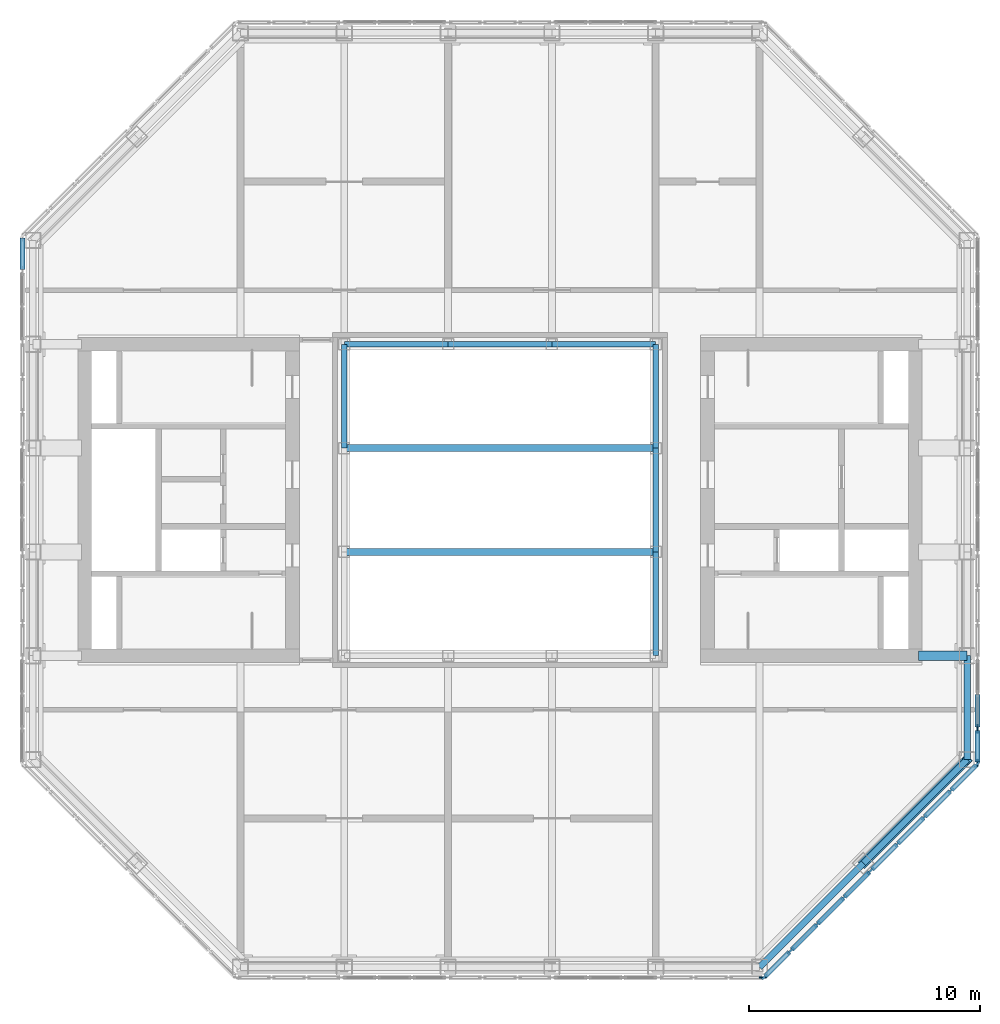
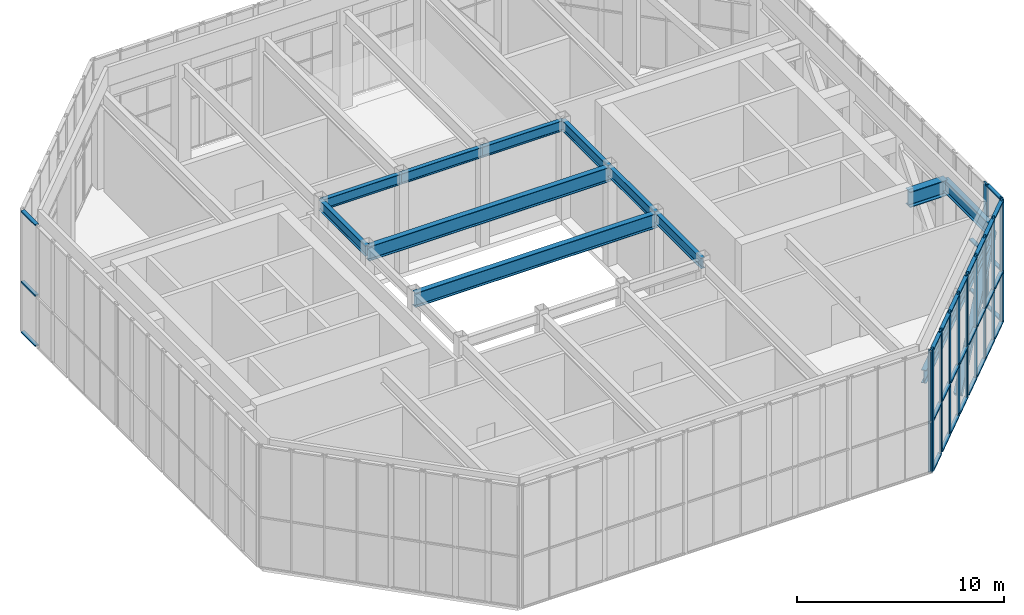
# One storey, part 5 of 15: 48 members, 13 beams, 7 elements without a shape of their own.
"""IFC4 building model written with IfcOpenShell, lengths in metres."""

from ifc_helpers import new_model, si_unit, direction, frame, origin, origin_2d, place, context, subcontext, project, spatial, rectangle, hollow_rectangle, i_section, extrude, material, material_profile, profile_set, type_object, element, aggregate, save


model = new_model("IFC4")

# Units and contexts
model_context = context("Model", 3, precision=1e-05, world=origin(), true_north=direction((0.0, 1.0)))
body_context = subcontext(model_context, "Body", "Model", "MODEL_VIEW")
ifc_project = project(units=[si_unit("LENGTHUNIT", "METRE"), si_unit("AREAUNIT", "SQUARE_METRE"), si_unit("VOLUMEUNIT", "CUBIC_METRE"), si_unit("PLANEANGLEUNIT", "RADIAN"), si_unit("MASSUNIT", "GRAM", prefix="KILO")], contexts=[model_context])

# Site, building, storey
site_placement = place(None, origin())
site = spatial("IfcSite", under=ifc_project, at=site_placement, CompositionType="ELEMENT")
building_placement = place(site_placement, origin())
building = spatial("IfcBuilding", under=site, at=building_placement, Name="Msasa Ring Tower", CompositionType="ELEMENT")
storey_placement = place(building_placement, frame((0.0, 0.0, 268.050048828125)))
storey = spatial("IfcBuildingStorey", under=building, at=storey_placement, Name="L69", CompositionType="ELEMENT", Elevation=268.050048828125)

# Beams
ifc_material_1 = material(Name="Steel S355", Category="steel")
ifc_material_profile_1 = material_profile(ifc_material_1, i_section(OverallWidth=0.293701171875, OverallDepth=0.850830078125, WebThickness=0.01611328125, FlangeThickness=0.02685546875, FilletRadius=0.017822265625, at=origin_2d()), Name="UB 838x292x226")
ifc_profile_set_1 = profile_set([ifc_material_profile_1], Name="Steel S355")
beam_type_1 = type_object("IfcBeamType", Name="BG1 UB 838x292x226", PredefinedType="BEAM", material=ifc_profile_set_1)
for number, where, z_axis, x_axis, name in (
    (1, (-6.75, -2.25, 5.324462890625), (1.0, 0.0, 0.0), (0.0, 1.0, 0.0), "Well bridge girder -2.25 under roof"),
    (2, (-6.75, 2.25, 5.324462890625), (1.0, 0.0, 0.0), (0.0, 1.0, 0.0), "Well bridge girder +2.25 under roof"),
):
    element("IfcBeam", number, at=place(storey_placement, frame(where, z_axis=z_axis, x_axis=x_axis)), inside=storey, type_object=beam_type_1, Name=name, PredefinedType="BEAM", context=body_context, shape_type="SweptSolid", body=[
        extrude(i_section(OverallWidth=0.293701171875, OverallDepth=0.850830078125, WebThickness=0.01611328125, FlangeThickness=0.02685546875, FilletRadius=0.017822265625, at=origin_2d()), origin(), (0.0, 0.0, 1.0), 13.5),
    ])

# Curtain wall, members
ifc_material_2 = material(Name="Aluminium curtain wall with clear glass", Category="aluminium")
curtain_wall_type_1 = type_object("IfcCurtainWallType", Name="CW-L LANTERN CURTAIN WALL", PredefinedType="NOTDEFINED", material=ifc_material_2)
curtain_wall_1_placement = place(storey_placement, origin())
curtain_wall_1 = element("IfcCurtainWall", 3, at=curtain_wall_1_placement, inside=storey, type_object=curtain_wall_type_1, Name="Lantern curtain wall SE2 L69", PredefinedType="NOTDEFINED")
ifc_material_3 = material(Name="Aluminium mullion", Category="aluminium")
ifc_material_profile_2 = material_profile(ifc_material_3, rectangle(XDim=0.080078125, YDim=0.300048828125, at=origin_2d()), Name="AL 80x300")
ifc_profile_set_2 = profile_set([ifc_material_profile_2], Name="Aluminium mullion")
member_type_1 = type_object("IfcMemberType", Name="CW-L MULLION 80x300", PredefinedType="MULLION", material=ifc_profile_set_2)
member_1_placement = place(storey_placement, frame((12.62255859375, -19.513671875, 0.0), z_axis=(0.0, 0.0, 1.0), x_axis=(-0.707096603542, 0.707116958684, 0.0)))
member_1 = element("IfcMember", 4, at=member_1_placement, type_object=member_type_1, Name="CW-L mullion 1", PredefinedType="MULLION", context=body_context, shape_type="SweptSolid", body=[
    extrude(rectangle(XDim=0.080078125, YDim=0.300048828125, at=origin_2d()), origin(), (0.0, 0.0, 1.0), 7.199951171875),
])
member_2_placement = place(storey_placement, frame((13.752197265625, -18.384033203125, 0.0), z_axis=(0.0, 0.0, 1.0), x_axis=(-0.707096603542, 0.707116958684, 0.0)))
member_2 = element("IfcMember", 5, at=member_2_placement, type_object=member_type_1, Name="CW-L mullion 2", PredefinedType="MULLION", context=body_context, shape_type="SweptSolid", body=[
    extrude(rectangle(XDim=0.080078125, YDim=0.300048828125, at=origin_2d()), origin(), (0.0, 0.0, 1.0), 7.199951171875),
])
member_3_placement = place(storey_placement, frame((14.91015625, -17.22607421875, 0.0), z_axis=(0.0, 0.0, 1.0), x_axis=(-0.707096603542, 0.707116958684, 0.0)))
member_3 = element("IfcMember", 6, at=member_3_placement, type_object=member_type_1, Name="CW-L mullion 3", PredefinedType="MULLION", context=body_context, shape_type="SweptSolid", body=[
    extrude(rectangle(XDim=0.080078125, YDim=0.300048828125, at=origin_2d()), origin(), (0.0, 0.0, 1.0), 7.199951171875),
])
member_4_placement = place(storey_placement, frame((16.039794921875, -16.096435546875, 0.0), z_axis=(0.0, 0.0, 1.0), x_axis=(-0.707096603542, 0.707116958684, 0.0)))
member_4 = element("IfcMember", 7, at=member_4_placement, type_object=member_type_1, Name="CW-L mullion 4", PredefinedType="MULLION", context=body_context, shape_type="SweptSolid", body=[
    extrude(rectangle(XDim=0.080078125, YDim=0.300048828125, at=origin_2d()), origin(), (0.0, 0.0, 1.0), 7.199951171875),
])

# Curtain wall, member
curtain_wall_2_placement = place(storey_placement, origin())
curtain_wall_2 = element("IfcCurtainWall", 8, at=curtain_wall_2_placement, inside=storey, type_object=curtain_wall_type_1, Name="Lantern curtain wall E2 L69", PredefinedType="NOTDEFINED")
member_5_placement = place(storey_placement, frame((20.699951171875, -9.87158203125, 0.0), z_axis=(0.0, 0.0, 1.0), x_axis=(-1.0, 0.0, 0.0)))
member_5 = element("IfcMember", 9, at=member_5_placement, type_object=member_type_1, Name="CW-L mullion 1", PredefinedType="MULLION", context=body_context, shape_type="SweptSolid", body=[
    extrude(rectangle(XDim=0.080078125, YDim=0.300048828125, at=origin_2d()), origin(), (0.0, 0.0, 1.0), 7.199951171875),
])

# Member
ifc_material_4 = material(Name="Aluminium transom", Category="aluminium")
ifc_material_profile_3 = material_profile(ifc_material_4, rectangle(XDim=0.199951171875, YDim=0.080078125, at=origin_2d()), Name="AL 80x200")
ifc_profile_set_3 = profile_set([ifc_material_profile_3], Name="Aluminium transom")
member_type_2 = type_object("IfcMemberType", Name="CW-L TRANSOM 80x200", PredefinedType="USERDEFINED", material=ifc_profile_set_3)
member_6_placement = place(storey_placement, frame((12.65087890625, -19.4853515625, 0.0400390625), z_axis=(0.707106781187, 0.707106781187, 0.0), x_axis=(-0.707106781187, 0.707106781187, 0.0)))
member_6 = element("IfcMember", 10, at=member_6_placement, type_object=member_type_2, Name="CW-L transom 1.1", ObjectType="TRANSOM", PredefinedType="USERDEFINED", context=body_context, shape_type="SweptSolid", body=[
    extrude(rectangle(XDim=0.199951171875, YDim=0.080078125, at=origin_2d()), origin(), (0.0, 0.0, 1.0), 1.517333984375),
])

member_7_placement = place(storey_placement, frame((12.65087890625, -19.4853515625, 3.0), z_axis=(0.707106781187, 0.707106781187, 0.0), x_axis=(-0.707106781187, 0.707106781187, 0.0)))
member_7 = element("IfcMember", 11, at=member_7_placement, type_object=member_type_2, Name="CW-L transom 1.2", ObjectType="TRANSOM", PredefinedType="USERDEFINED", context=body_context, shape_type="SweptSolid", body=[
    extrude(rectangle(XDim=0.199951171875, YDim=0.080078125, at=origin_2d()), origin(), (0.0, 0.0, 1.0), 1.517333984375),
])

member_8_placement = place(storey_placement, frame((12.65087890625, -19.4853515625, 7.159912109375), z_axis=(0.707106781187, 0.707106781187, 0.0), x_axis=(-0.707106781187, 0.707106781187, 0.0)))
member_8 = element("IfcMember", 12, at=member_8_placement, type_object=member_type_2, Name="CW-L transom 1.3", ObjectType="TRANSOM", PredefinedType="USERDEFINED", context=body_context, shape_type="SweptSolid", body=[
    extrude(rectangle(XDim=0.199951171875, YDim=0.080078125, at=origin_2d()), origin(), (0.0, 0.0, 1.0), 1.517333984375),
])

member_9_placement = place(storey_placement, frame((13.780517578125, -18.355712890625, 0.0400390625), z_axis=(0.707106781187, 0.707106781187, 0.0), x_axis=(-0.707106781187, 0.707106781187, 0.0)))
member_9 = element("IfcMember", 13, at=member_9_placement, type_object=member_type_2, Name="CW-L transom 2.1", ObjectType="TRANSOM", PredefinedType="USERDEFINED", context=body_context, shape_type="SweptSolid", body=[
    extrude(rectangle(XDim=0.199951171875, YDim=0.080078125, at=origin_2d()), origin(), (0.0, 0.0, 1.0), 1.5576171875),
])

member_10_placement = place(storey_placement, frame((13.780517578125, -18.355712890625, 3.0), z_axis=(0.707106781187, 0.707106781187, 0.0), x_axis=(-0.707106781187, 0.707106781187, 0.0)))
member_10 = element("IfcMember", 14, at=member_10_placement, type_object=member_type_2, Name="CW-L transom 2.2", ObjectType="TRANSOM", PredefinedType="USERDEFINED", context=body_context, shape_type="SweptSolid", body=[
    extrude(rectangle(XDim=0.199951171875, YDim=0.080078125, at=origin_2d()), origin(), (0.0, 0.0, 1.0), 1.5576171875),
])

member_11_placement = place(storey_placement, frame((13.780517578125, -18.355712890625, 7.159912109375), z_axis=(0.707106781187, 0.707106781187, 0.0), x_axis=(-0.707106781187, 0.707106781187, 0.0)))
member_11 = element("IfcMember", 15, at=member_11_placement, type_object=member_type_2, Name="CW-L transom 2.3", ObjectType="TRANSOM", PredefinedType="USERDEFINED", context=body_context, shape_type="SweptSolid", body=[
    extrude(rectangle(XDim=0.199951171875, YDim=0.080078125, at=origin_2d()), origin(), (0.0, 0.0, 1.0), 1.5576171875),
])

member_12_placement = place(storey_placement, frame((14.9384765625, -17.19775390625, 0.0400390625), z_axis=(0.707187211918, 0.707026341306, 0.0), x_axis=(-0.707026341306, 0.707187211918, 0.0)))
member_12 = element("IfcMember", 16, at=member_12_placement, type_object=member_type_2, Name="CW-L transom 3.1", ObjectType="TRANSOM", PredefinedType="USERDEFINED", context=body_context, shape_type="SweptSolid", body=[
    extrude(rectangle(XDim=0.199951171875, YDim=0.080078125, at=origin_2d()), origin(), (0.0, 0.0, 1.0), 1.517578125),
])

member_13_placement = place(storey_placement, frame((14.9384765625, -17.19775390625, 3.0), z_axis=(0.707187211918, 0.707026341306, 0.0), x_axis=(-0.707026341306, 0.707187211918, 0.0)))
member_13 = element("IfcMember", 17, at=member_13_placement, type_object=member_type_2, Name="CW-L transom 3.2", ObjectType="TRANSOM", PredefinedType="USERDEFINED", context=body_context, shape_type="SweptSolid", body=[
    extrude(rectangle(XDim=0.199951171875, YDim=0.080078125, at=origin_2d()), origin(), (0.0, 0.0, 1.0), 1.517578125),
])

member_14_placement = place(storey_placement, frame((14.9384765625, -17.19775390625, 7.159912109375), z_axis=(0.707187211918, 0.707026341306, 0.0), x_axis=(-0.707026341306, 0.707187211918, 0.0)))
member_14 = element("IfcMember", 18, at=member_14_placement, type_object=member_type_2, Name="CW-L transom 3.3", ObjectType="TRANSOM", PredefinedType="USERDEFINED", context=body_context, shape_type="SweptSolid", body=[
    extrude(rectangle(XDim=0.199951171875, YDim=0.080078125, at=origin_2d()), origin(), (0.0, 0.0, 1.0), 1.517578125),
])

aggregate(curtain_wall_1, [member_1, member_2, member_3, member_4, member_6, member_7, member_8, member_9, member_10, member_11, member_12, member_13, member_14])

member_15_placement = place(storey_placement, frame((20.699951171875, -9.83154296875, 0.0400390625), z_axis=(0.0, 1.0, 0.0), x_axis=(-1.0, 0.0, 0.0)))
member_15 = element("IfcMember", 19, at=member_15_placement, type_object=member_type_2, Name="CW-L transom 1.1", ObjectType="TRANSOM", PredefinedType="USERDEFINED", context=body_context, shape_type="SweptSolid", body=[
    extrude(rectangle(XDim=0.199951171875, YDim=0.080078125, at=origin_2d()), origin(), (0.0, 0.0, 1.0), 1.40478515625),
])

member_16_placement = place(storey_placement, frame((20.699951171875, -9.83154296875, 3.0), z_axis=(0.0, 1.0, 0.0), x_axis=(-1.0, 0.0, 0.0)))
member_16 = element("IfcMember", 20, at=member_16_placement, type_object=member_type_2, Name="CW-L transom 1.2", ObjectType="TRANSOM", PredefinedType="USERDEFINED", context=body_context, shape_type="SweptSolid", body=[
    extrude(rectangle(XDim=0.199951171875, YDim=0.080078125, at=origin_2d()), origin(), (0.0, 0.0, 1.0), 1.40478515625),
])

aggregate(curtain_wall_2, [member_5, member_15, member_16])

# Curtain wall, member
ifc_material_5 = material(Name="Aluminium curtain wall with insulated terracotta-faced panels", Category="masonry")
curtain_wall_type_2 = type_object("IfcCurtainWallType", Name="CW-O OPAQUE LANTERN CURTAIN WALL", PredefinedType="NOTDEFINED", material=ifc_material_5)
curtain_wall_3_placement = place(storey_placement, origin())
curtain_wall_3 = element("IfcCurtainWall", 21, at=curtain_wall_3_placement, inside=storey, type_object=curtain_wall_type_2, Name="Lantern opaque curtain wall S5 L69", PredefinedType="NOTDEFINED")
ifc_material_6 = material(Name="Aluminium mullion", Category="aluminium")
ifc_material_profile_4 = material_profile(ifc_material_6, rectangle(XDim=0.080078125, YDim=0.300048828125, at=origin_2d()), Name="AL 80x300")
ifc_profile_set_4 = profile_set([ifc_material_profile_4], Name="Aluminium mullion")
member_type_3 = type_object("IfcMemberType", Name="CW-O MULLION 80x300", PredefinedType="MULLION", material=ifc_profile_set_4)
member_17_placement = place(storey_placement, frame((11.396484375, -20.699951171875, 0.0), z_axis=(0.0, 0.0, 1.0), x_axis=(0.0, 1.0, 0.0)))
member_17 = element("IfcMember", 22, at=member_17_placement, type_object=member_type_3, Name="CW-O mullion 4", PredefinedType="MULLION", context=body_context, shape_type="SweptSolid", body=[
    extrude(rectangle(XDim=0.080078125, YDim=0.300048828125, at=origin_2d()), origin(), (0.0, 0.0, 1.0), 7.199951171875),
])
aggregate(curtain_wall_3, [member_17])

# Curtain wall, members
curtain_wall_4_placement = place(storey_placement, origin())
curtain_wall_4 = element("IfcCurtainWall", 23, at=curtain_wall_4_placement, inside=storey, type_object=curtain_wall_type_2, Name="Lantern opaque curtain wall SE1 L69", PredefinedType="NOTDEFINED")
member_18_placement = place(storey_placement, frame((11.464599609375, -20.671630859375, 0.0), z_axis=(0.0, 0.0, 1.0), x_axis=(-0.707137313228, 0.707076247826, 0.0)))
member_18 = element("IfcMember", 24, at=member_18_placement, type_object=member_type_3, Name="CW-O mullion 1", PredefinedType="MULLION", context=body_context, shape_type="SweptSolid", body=[
    extrude(rectangle(XDim=0.080078125, YDim=0.300048828125, at=origin_2d()), origin(), (0.0, 0.0, 1.0), 7.199951171875),
])
member_19_placement = place(storey_placement, frame((12.56591796875, -19.5703125, 0.0), z_axis=(0.0, 0.0, 1.0), x_axis=(-0.707137313228, 0.707076247826, 0.0)))
member_19 = element("IfcMember", 25, at=member_19_placement, type_object=member_type_3, Name="CW-O mullion 2", PredefinedType="MULLION", context=body_context, shape_type="SweptSolid", body=[
    extrude(rectangle(XDim=0.080078125, YDim=0.300048828125, at=origin_2d()), origin(), (0.0, 0.0, 1.0), 7.199951171875),
])

curtain_wall_5_placement = place(storey_placement, origin())
curtain_wall_5 = element("IfcCurtainWall", 26, at=curtain_wall_5_placement, inside=storey, type_object=curtain_wall_type_2, Name="Lantern opaque curtain wall SE3 L69", PredefinedType="NOTDEFINED")
member_20_placement = place(storey_placement, frame((16.096435546875, -16.039794921875, 0.0), z_axis=(0.0, 0.0, 1.0), x_axis=(-0.707106781187, 0.707106781187, 0.0)))
member_20 = element("IfcMember", 27, at=member_20_placement, type_object=member_type_3, Name="CW-O mullion 1", PredefinedType="MULLION", context=body_context, shape_type="SweptSolid", body=[
    extrude(rectangle(XDim=0.080078125, YDim=0.300048828125, at=origin_2d()), origin(), (0.0, 0.0, 1.0), 7.199951171875),
])
member_21_placement = place(storey_placement, frame((17.22607421875, -14.91015625, 0.0), z_axis=(0.0, 0.0, 1.0), x_axis=(-0.707106781187, 0.707106781187, 0.0)))
member_21 = element("IfcMember", 28, at=member_21_placement, type_object=member_type_3, Name="CW-O mullion 2", PredefinedType="MULLION", context=body_context, shape_type="SweptSolid", body=[
    extrude(rectangle(XDim=0.080078125, YDim=0.300048828125, at=origin_2d()), origin(), (0.0, 0.0, 1.0), 7.199951171875),
])
member_22_placement = place(storey_placement, frame((18.384033203125, -13.752197265625, 0.0), z_axis=(0.0, 0.0, 1.0), x_axis=(-0.707106781187, 0.707106781187, 0.0)))
member_22 = element("IfcMember", 29, at=member_22_placement, type_object=member_type_3, Name="CW-O mullion 3", PredefinedType="MULLION", context=body_context, shape_type="SweptSolid", body=[
    extrude(rectangle(XDim=0.080078125, YDim=0.300048828125, at=origin_2d()), origin(), (0.0, 0.0, 1.0), 7.199951171875),
])
member_23_placement = place(storey_placement, frame((19.5419921875, -12.59423828125, 0.0), z_axis=(0.0, 0.0, 1.0), x_axis=(-0.707106781187, 0.707106781187, 0.0)))
member_23 = element("IfcMember", 30, at=member_23_placement, type_object=member_type_3, Name="CW-O mullion 4", PredefinedType="MULLION", context=body_context, shape_type="SweptSolid", body=[
    extrude(rectangle(XDim=0.080078125, YDim=0.300048828125, at=origin_2d()), origin(), (0.0, 0.0, 1.0), 7.199951171875),
])
member_24_placement = place(storey_placement, frame((20.671630859375, -11.464599609375, 0.0), z_axis=(0.0, 0.0, 1.0), x_axis=(-0.707106781187, 0.707106781187, 0.0)))
member_24 = element("IfcMember", 31, at=member_24_placement, type_object=member_type_3, Name="CW-O mullion 5", PredefinedType="MULLION", context=body_context, shape_type="SweptSolid", body=[
    extrude(rectangle(XDim=0.080078125, YDim=0.300048828125, at=origin_2d()), origin(), (0.0, 0.0, 1.0), 7.199951171875),
])

curtain_wall_6_placement = place(storey_placement, origin())
curtain_wall_6 = element("IfcCurtainWall", 32, at=curtain_wall_6_placement, inside=storey, type_object=curtain_wall_type_2, Name="Lantern opaque curtain wall E1 L69", PredefinedType="NOTDEFINED")
member_25_placement = place(storey_placement, frame((20.699951171875, -11.396484375, 0.0), z_axis=(0.0, 0.0, 1.0), x_axis=(-1.0, 0.0, 0.0)))
member_25 = element("IfcMember", 33, at=member_25_placement, type_object=member_type_3, Name="CW-O mullion 1", PredefinedType="MULLION", context=body_context, shape_type="SweptSolid", body=[
    extrude(rectangle(XDim=0.080078125, YDim=0.300048828125, at=origin_2d()), origin(), (0.0, 0.0, 1.0), 7.199951171875),
])
member_26_placement = place(storey_placement, frame((20.699951171875, -9.951416015625, 0.0), z_axis=(0.0, 0.0, 1.0), x_axis=(-1.0, 0.0, 0.0)))
member_26 = element("IfcMember", 34, at=member_26_placement, type_object=member_type_3, Name="CW-O mullion 2", PredefinedType="MULLION", context=body_context, shape_type="SweptSolid", body=[
    extrude(rectangle(XDim=0.080078125, YDim=0.300048828125, at=origin_2d()), origin(), (0.0, 0.0, 1.0), 7.199951171875),
])

# Member
ifc_material_7 = material(Name="Aluminium transom", Category="aluminium")
ifc_material_profile_5 = material_profile(ifc_material_7, rectangle(XDim=0.199951171875, YDim=0.080078125, at=origin_2d()), Name="AL 80x200")
ifc_profile_set_5 = profile_set([ifc_material_profile_5], Name="Aluminium transom")
member_type_4 = type_object("IfcMemberType", Name="CW-O TRANSOM 80x200", PredefinedType="USERDEFINED", material=ifc_profile_set_5)
member_27_placement = place(storey_placement, frame((11.492919921875, -20.643310546875, 0.0400390625), z_axis=(0.707189391943, 0.707024160777, 0.0), x_axis=(-0.707024160777, 0.707189391943, 0.0)))
member_27 = element("IfcMember", 35, at=member_27_placement, type_object=member_type_4, Name="CW-O transom 1.1", ObjectType="TRANSOM", PredefinedType="USERDEFINED", context=body_context, shape_type="SweptSolid", body=[
    extrude(rectangle(XDim=0.199951171875, YDim=0.080078125, at=origin_2d()), origin(), (0.0, 0.0, 1.0), 1.4775390625),
])

member_28_placement = place(storey_placement, frame((11.492919921875, -20.643310546875, 3.0), z_axis=(0.707189391943, 0.707024160777, 0.0), x_axis=(-0.707024160777, 0.707189391943, 0.0)))
member_28 = element("IfcMember", 36, at=member_28_placement, type_object=member_type_4, Name="CW-O transom 1.2", ObjectType="TRANSOM", PredefinedType="USERDEFINED", context=body_context, shape_type="SweptSolid", body=[
    extrude(rectangle(XDim=0.199951171875, YDim=0.080078125, at=origin_2d()), origin(), (0.0, 0.0, 1.0), 1.4775390625),
])

member_29_placement = place(storey_placement, frame((11.492919921875, -20.643310546875, 7.159912109375), z_axis=(0.707189391943, 0.707024160777, 0.0), x_axis=(-0.707024160777, 0.707189391943, 0.0)))
member_29 = element("IfcMember", 37, at=member_29_placement, type_object=member_type_4, Name="CW-O transom 1.3", ObjectType="TRANSOM", PredefinedType="USERDEFINED", context=body_context, shape_type="SweptSolid", body=[
    extrude(rectangle(XDim=0.199951171875, YDim=0.080078125, at=origin_2d()), origin(), (0.0, 0.0, 1.0), 1.4775390625),
])

aggregate(curtain_wall_4, [member_18, member_19, member_27, member_28, member_29])

member_30_placement = place(storey_placement, frame((16.124755859375, -16.01171875, 0.0400390625), z_axis=(0.707026341306, 0.707187211918, 0.0), x_axis=(-0.707187211918, 0.707026341306, 0.0)))
member_30 = element("IfcMember", 38, at=member_30_placement, type_object=member_type_4, Name="CW-O transom 1.1", ObjectType="TRANSOM", PredefinedType="USERDEFINED", context=body_context, shape_type="SweptSolid", body=[
    extrude(rectangle(XDim=0.199951171875, YDim=0.080078125, at=origin_2d()), origin(), (0.0, 0.0, 1.0), 1.517578125),
])

member_31_placement = place(storey_placement, frame((16.124755859375, -16.01171875, 3.0), z_axis=(0.707026341306, 0.707187211918, 0.0), x_axis=(-0.707187211918, 0.707026341306, 0.0)))
member_31 = element("IfcMember", 39, at=member_31_placement, type_object=member_type_4, Name="CW-O transom 1.2", ObjectType="TRANSOM", PredefinedType="USERDEFINED", context=body_context, shape_type="SweptSolid", body=[
    extrude(rectangle(XDim=0.199951171875, YDim=0.080078125, at=origin_2d()), origin(), (0.0, 0.0, 1.0), 1.517578125),
])

member_32_placement = place(storey_placement, frame((16.124755859375, -16.01171875, 7.159912109375), z_axis=(0.707026341306, 0.707187211918, 0.0), x_axis=(-0.707187211918, 0.707026341306, 0.0)))
member_32 = element("IfcMember", 40, at=member_32_placement, type_object=member_type_4, Name="CW-O transom 1.3", ObjectType="TRANSOM", PredefinedType="USERDEFINED", context=body_context, shape_type="SweptSolid", body=[
    extrude(rectangle(XDim=0.199951171875, YDim=0.080078125, at=origin_2d()), origin(), (0.0, 0.0, 1.0), 1.517578125),
])

member_33_placement = place(storey_placement, frame((17.25439453125, -14.882080078125, 0.0400390625), z_axis=(0.707028409696, 0.707185143992, 0.0), x_axis=(-0.707185143992, 0.707028409696, 0.0)))
member_33 = element("IfcMember", 41, at=member_33_placement, type_object=member_type_4, Name="CW-O transom 2.1", ObjectType="TRANSOM", PredefinedType="USERDEFINED", context=body_context, shape_type="SweptSolid", body=[
    extrude(rectangle(XDim=0.199951171875, YDim=0.080078125, at=origin_2d()), origin(), (0.0, 0.0, 1.0), 1.5576171875),
])

member_34_placement = place(storey_placement, frame((17.25439453125, -14.882080078125, 3.0), z_axis=(0.707028409696, 0.707185143992, 0.0), x_axis=(-0.707185143992, 0.707028409696, 0.0)))
member_34 = element("IfcMember", 42, at=member_34_placement, type_object=member_type_4, Name="CW-O transom 2.2", ObjectType="TRANSOM", PredefinedType="USERDEFINED", context=body_context, shape_type="SweptSolid", body=[
    extrude(rectangle(XDim=0.199951171875, YDim=0.080078125, at=origin_2d()), origin(), (0.0, 0.0, 1.0), 1.5576171875),
])

member_35_placement = place(storey_placement, frame((17.25439453125, -14.882080078125, 7.159912109375), z_axis=(0.707028409696, 0.707185143992, 0.0), x_axis=(-0.707185143992, 0.707028409696, 0.0)))
member_35 = element("IfcMember", 43, at=member_35_placement, type_object=member_type_4, Name="CW-O transom 2.3", ObjectType="TRANSOM", PredefinedType="USERDEFINED", context=body_context, shape_type="SweptSolid", body=[
    extrude(rectangle(XDim=0.199951171875, YDim=0.080078125, at=origin_2d()), origin(), (0.0, 0.0, 1.0), 1.5576171875),
])

member_36_placement = place(storey_placement, frame((18.412353515625, -13.72412109375, 0.0400390625), z_axis=(0.707028409696, 0.707185143992, 0.0), x_axis=(-0.707185143992, 0.707028409696, 0.0)))
member_36 = element("IfcMember", 44, at=member_36_placement, type_object=member_type_4, Name="CW-O transom 3.1", ObjectType="TRANSOM", PredefinedType="USERDEFINED", context=body_context, shape_type="SweptSolid", body=[
    extrude(rectangle(XDim=0.199951171875, YDim=0.080078125, at=origin_2d()), origin(), (0.0, 0.0, 1.0), 1.5576171875),
])

member_37_placement = place(storey_placement, frame((18.412353515625, -13.72412109375, 3.0), z_axis=(0.707028409696, 0.707185143992, 0.0), x_axis=(-0.707185143992, 0.707028409696, 0.0)))
member_37 = element("IfcMember", 45, at=member_37_placement, type_object=member_type_4, Name="CW-O transom 3.2", ObjectType="TRANSOM", PredefinedType="USERDEFINED", context=body_context, shape_type="SweptSolid", body=[
    extrude(rectangle(XDim=0.199951171875, YDim=0.080078125, at=origin_2d()), origin(), (0.0, 0.0, 1.0), 1.5576171875),
])

member_38_placement = place(storey_placement, frame((18.412353515625, -13.72412109375, 7.159912109375), z_axis=(0.707028409696, 0.707185143992, 0.0), x_axis=(-0.707185143992, 0.707028409696, 0.0)))
member_38 = element("IfcMember", 46, at=member_38_placement, type_object=member_type_4, Name="CW-O transom 3.3", ObjectType="TRANSOM", PredefinedType="USERDEFINED", context=body_context, shape_type="SweptSolid", body=[
    extrude(rectangle(XDim=0.199951171875, YDim=0.080078125, at=origin_2d()), origin(), (0.0, 0.0, 1.0), 1.5576171875),
])

member_39_placement = place(storey_placement, frame((19.5703125, -12.566162109375, 0.0400390625), z_axis=(0.707026341306, 0.707187211918, 0.0), x_axis=(-0.707187211918, 0.707026341306, 0.0)))
member_39 = element("IfcMember", 47, at=member_39_placement, type_object=member_type_4, Name="CW-O transom 4.1", ObjectType="TRANSOM", PredefinedType="USERDEFINED", context=body_context, shape_type="SweptSolid", body=[
    extrude(rectangle(XDim=0.199951171875, YDim=0.080078125, at=origin_2d()), origin(), (0.0, 0.0, 1.0), 1.517578125),
])

member_40_placement = place(storey_placement, frame((19.5703125, -12.566162109375, 3.0), z_axis=(0.707026341306, 0.707187211918, 0.0), x_axis=(-0.707187211918, 0.707026341306, 0.0)))
member_40 = element("IfcMember", 48, at=member_40_placement, type_object=member_type_4, Name="CW-O transom 4.2", ObjectType="TRANSOM", PredefinedType="USERDEFINED", context=body_context, shape_type="SweptSolid", body=[
    extrude(rectangle(XDim=0.199951171875, YDim=0.080078125, at=origin_2d()), origin(), (0.0, 0.0, 1.0), 1.517578125),
])

member_41_placement = place(storey_placement, frame((19.5703125, -12.566162109375, 7.159912109375), z_axis=(0.707026341306, 0.707187211918, 0.0), x_axis=(-0.707187211918, 0.707026341306, 0.0)))
member_41 = element("IfcMember", 49, at=member_41_placement, type_object=member_type_4, Name="CW-O transom 4.3", ObjectType="TRANSOM", PredefinedType="USERDEFINED", context=body_context, shape_type="SweptSolid", body=[
    extrude(rectangle(XDim=0.199951171875, YDim=0.080078125, at=origin_2d()), origin(), (0.0, 0.0, 1.0), 1.517578125),
])

aggregate(curtain_wall_5, [member_20, member_21, member_22, member_23, member_24, member_30, member_31, member_32, member_33, member_34, member_35, member_36, member_37, member_38, member_39, member_40, member_41])

member_42_placement = place(storey_placement, frame((20.699951171875, -11.3564453125, 0.0400390625), z_axis=(0.0, 1.0, 0.0), x_axis=(-1.0, 0.0, 0.0)))
member_42 = element("IfcMember", 50, at=member_42_placement, type_object=member_type_4, Name="CW-O transom 1.1", ObjectType="TRANSOM", PredefinedType="USERDEFINED", context=body_context, shape_type="SweptSolid", body=[
    extrude(rectangle(XDim=0.199951171875, YDim=0.080078125, at=origin_2d()), origin(), (0.0, 0.0, 1.0), 1.364990234375),
])

member_43_placement = place(storey_placement, frame((20.699951171875, -11.3564453125, 3.0), z_axis=(0.0, 1.0, 0.0), x_axis=(-1.0, 0.0, 0.0)))
member_43 = element("IfcMember", 51, at=member_43_placement, type_object=member_type_4, Name="CW-O transom 1.2", ObjectType="TRANSOM", PredefinedType="USERDEFINED", context=body_context, shape_type="SweptSolid", body=[
    extrude(rectangle(XDim=0.199951171875, YDim=0.080078125, at=origin_2d()), origin(), (0.0, 0.0, 1.0), 1.364990234375),
])

member_44_placement = place(storey_placement, frame((20.699951171875, -11.3564453125, 7.159912109375), z_axis=(0.0, 1.0, 0.0), x_axis=(-1.0, 0.0, 0.0)))
member_44 = element("IfcMember", 52, at=member_44_placement, type_object=member_type_4, Name="CW-O transom 1.3", ObjectType="TRANSOM", PredefinedType="USERDEFINED", context=body_context, shape_type="SweptSolid", body=[
    extrude(rectangle(XDim=0.199951171875, YDim=0.080078125, at=origin_2d()), origin(), (0.0, 0.0, 1.0), 1.364990234375),
])

aggregate(curtain_wall_6, [member_25, member_26, member_42, member_43, member_44])

# Curtain wall, members
curtain_wall_7_placement = place(storey_placement, origin())
curtain_wall_7 = element("IfcCurtainWall", 53, at=curtain_wall_7_placement, inside=storey, type_object=curtain_wall_type_2, Name="Lantern opaque curtain wall W1 L69", PredefinedType="NOTDEFINED")
member_45_placement = place(storey_placement, frame((-20.699951171875, 11.3564453125, 0.0400390625), z_axis=(0.0, -1.0, 0.0), x_axis=(1.0, 0.0, 0.0)))
member_45 = element("IfcMember", 54, at=member_45_placement, type_object=member_type_4, Name="CW-O transom 1.1", ObjectType="TRANSOM", PredefinedType="USERDEFINED", context=body_context, shape_type="SweptSolid", body=[
    extrude(rectangle(XDim=0.199951171875, YDim=0.080078125, at=origin_2d()), origin(), (0.0, 0.0, 1.0), 1.364990234375),
])
member_46_placement = place(storey_placement, frame((-20.699951171875, 11.3564453125, 3.0), z_axis=(0.0, -1.0, 0.0), x_axis=(1.0, 0.0, 0.0)))
member_46 = element("IfcMember", 55, at=member_46_placement, type_object=member_type_4, Name="CW-O transom 1.2", ObjectType="TRANSOM", PredefinedType="USERDEFINED", context=body_context, shape_type="SweptSolid", body=[
    extrude(rectangle(XDim=0.199951171875, YDim=0.080078125, at=origin_2d()), origin(), (0.0, 0.0, 1.0), 1.364990234375),
])
member_47_placement = place(storey_placement, frame((-20.699951171875, 11.3564453125, 7.159912109375), z_axis=(0.0, -1.0, 0.0), x_axis=(1.0, 0.0, 0.0)))
member_47 = element("IfcMember", 56, at=member_47_placement, type_object=member_type_4, Name="CW-O transom 1.3", ObjectType="TRANSOM", PredefinedType="USERDEFINED", context=body_context, shape_type="SweptSolid", body=[
    extrude(rectangle(XDim=0.199951171875, YDim=0.080078125, at=origin_2d()), origin(), (0.0, 0.0, 1.0), 1.364990234375),
])
aggregate(curtain_wall_7, [member_45, member_46, member_47])

# Beam
ifc_material_8 = material(Name="Steel S355", Category="steel")
ifc_material_profile_6 = material_profile(ifc_material_8, i_section(OverallWidth=0.42041015625, OverallDepth=0.9208984375, WebThickness=0.021484375, FlangeThickness=0.03662109375, FilletRadius=0.024169921875, at=origin_2d()), Name="UB 914x419x388")
ifc_profile_set_6 = profile_set([ifc_material_profile_6], Name="Steel S355")
beam_type_2 = type_object("IfcBeamType", Name="GB1 UB 914x419x388", PredefinedType="BEAM", material=ifc_profile_set_6)
beam_1_placement = place(storey_placement, frame((18.14990234375, -6.75, 5.28955078125), z_axis=(1.0, 0.0, 0.0), x_axis=(0.0, 1.0, 0.0)))
element("IfcBeam", 57, at=beam_1_placement, inside=storey, type_object=beam_type_2, Name="Girder E -6.75 under roof", PredefinedType="BEAM", context=body_context, shape_type="SweptSolid", body=[
    extrude(i_section(OverallWidth=0.42041015625, OverallDepth=0.9208984375, WebThickness=0.021484375, FlangeThickness=0.03662109375, FilletRadius=0.024169921875, at=origin_2d()), origin(), (0.0, 0.0, 1.0), 2.10009765625),
])

# Member
ifc_material_9 = material(Name="Steel S355", Category="steel")
ifc_material_profile_7 = material_profile(ifc_material_9, hollow_rectangle(XDim=0.39990234375, YDim=0.39990234375, WallThickness=0.02001953125, at=origin_2d()), Name="SHS 400x400x20")
ifc_profile_set_7 = profile_set([ifc_material_profile_7], Name="Steel S355")
member_type_5 = type_object("IfcMemberType", Name="HT1 SHS 400x400x20", PredefinedType="BRACE", material=ifc_profile_set_7)
member_48_placement = place(storey_placement, frame((15.75, -15.75, 0.0), z_axis=(0.540628323546, 0.540628323546, 0.644547928055), x_axis=(-0.707106781187, 0.707106781187, 0.0)))
element("IfcMember", 58, at=member_48_placement, inside=storey, type_object=member_type_5, Name="Hat truss brace SE L69", PredefinedType="BRACE", context=body_context, shape_type="SweptSolid", body=[
    extrude(hollow_rectangle(XDim=0.39990234375, YDim=0.39990234375, WallThickness=0.02001953125, at=origin_2d()), origin(), (0.0, 0.0, 1.0), 8.32373046875),
])

# Beams
ifc_material_10 = material(Name="Steel S355", Category="steel")
ifc_material_profile_8 = material_profile(ifc_material_10, i_section(OverallWidth=0.230224609375, OverallDepth=0.6171875, WebThickness=0.01318359375, FlangeThickness=0.022216796875, FilletRadius=0.0126953125, at=origin_2d()), Name="UB 610x229x140")
ifc_profile_set_8 = profile_set([ifc_material_profile_8], Name="Steel S355")
beam_type_3 = type_object("IfcBeamType", Name="RB1 UB 610x229x140", PredefinedType="BEAM", material=ifc_profile_set_8)
for number, where, z_axis, x_axis, name in (
    (59, (6.75, -6.75, 5.44140625), (0.0, 1.0, 0.0), (-1.0, 0.0, 0.0), "Inner ring beam IR+6.75-6.75 under roof"),
    (60, (6.75, -2.25, 5.44140625), (0.0, 1.0, 0.0), (-1.0, 0.0, 0.0), "Inner ring beam IR+6.75-2.25 under roof"),
    (61, (6.75, 2.25, 5.44140625), (0.0, 1.0, 0.0), (-1.0, 0.0, 0.0), "Inner ring beam IR+6.75+2.25 under roof"),
    (62, (6.75, 6.75, 5.44140625), (-1.0, 0.0, 0.0), (0.0, -1.0, 0.0), "Inner ring beam IR+6.75+6.75 under roof"),
    (63, (2.25, 6.75, 5.44140625), (-1.0, 0.0, 0.0), (0.0, -1.0, 0.0), "Inner ring beam IR+2.25+6.75 under roof"),
    (64, (-2.25, 6.75, 5.44140625), (-1.0, 0.0, 0.0), (0.0, -1.0, 0.0), "Inner ring beam IR-2.25+6.75 under roof"),
    (65, (-6.75, 6.75, 5.44140625), (0.0, -1.0, 0.0), (1.0, 0.0, 0.0), "Inner ring beam IR-6.75+6.75 under roof"),
):
    element("IfcBeam", number, at=place(storey_placement, frame(where, z_axis=z_axis, x_axis=x_axis)), inside=storey, type_object=beam_type_3, Name=name, PredefinedType="BEAM", context=body_context, shape_type="SweptSolid", body=[
        extrude(i_section(OverallWidth=0.230224609375, OverallDepth=0.6171875, WebThickness=0.01318359375, FlangeThickness=0.022216796875, FilletRadius=0.0126953125, at=origin_2d()), origin(), (0.0, 0.0, 1.0), 4.5),
    ])
ifc_material_11 = material(Name="Steel S355", Category="steel")
ifc_material_profile_9 = material_profile(ifc_material_11, i_section(OverallWidth=0.26806640625, OverallDepth=0.769775390625, WebThickness=0.015625, FlangeThickness=0.025390625, FilletRadius=0.0166015625, at=origin_2d()), Name="UB 762x267x197")
ifc_profile_set_9 = profile_set([ifc_material_profile_9], Name="Steel S355")
beam_type_4 = type_object("IfcBeamType", Name="SB4 UB 762x267x197", PredefinedType="SPANDREL", material=ifc_profile_set_9)
for number, where, z_axis, x_axis, name in (
    (66, (11.25, -20.25, 5.364990234375), (0.707106781187, 0.707106781187, 0.0), (-0.707106781187, 0.707106781187, 0.0), "Spandrel S+11.25 to SE under roof"),
    (67, (15.75, -15.75, 5.364990234375), (0.707106781187, 0.707106781187, 0.0), (-0.707106781187, 0.707106781187, 0.0), "Spandrel SE to E-11.25 under roof"),
):
    element("IfcBeam", number, at=place(storey_placement, frame(where, z_axis=z_axis, x_axis=x_axis)), inside=storey, type_object=beam_type_4, Name=name, PredefinedType="SPANDREL", context=body_context, shape_type="SweptSolid", body=[
        extrude(i_section(OverallWidth=0.26806640625, OverallDepth=0.769775390625, WebThickness=0.015625, FlangeThickness=0.025390625, FilletRadius=0.0166015625, at=origin_2d()), origin(), (0.0, 0.0, 1.0), 6.364013671875),
    ])
beam_2_placement = place(storey_placement, frame((20.25, -11.25, 5.364990234375), z_axis=(0.0, 1.0, 0.0), x_axis=(-1.0, 0.0, 0.0)))
element("IfcBeam", 68, at=beam_2_placement, inside=storey, type_object=beam_type_4, Name="Spandrel E-11.25 to E-6.75 under roof", PredefinedType="SPANDREL", context=body_context, shape_type="SweptSolid", body=[
    extrude(i_section(OverallWidth=0.26806640625, OverallDepth=0.769775390625, WebThickness=0.015625, FlangeThickness=0.025390625, FilletRadius=0.0166015625, at=origin_2d()), origin(), (0.0, 0.0, 1.0), 4.5),
])

save(model, "model.ifc")
